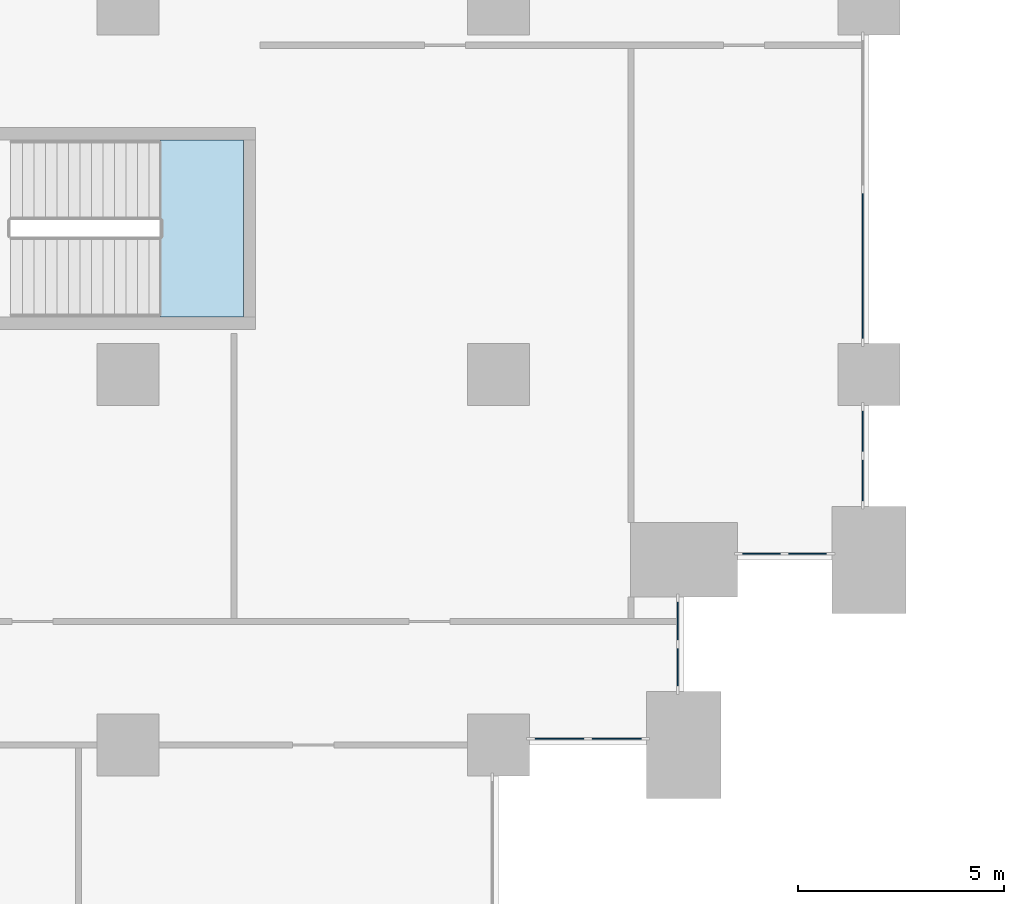
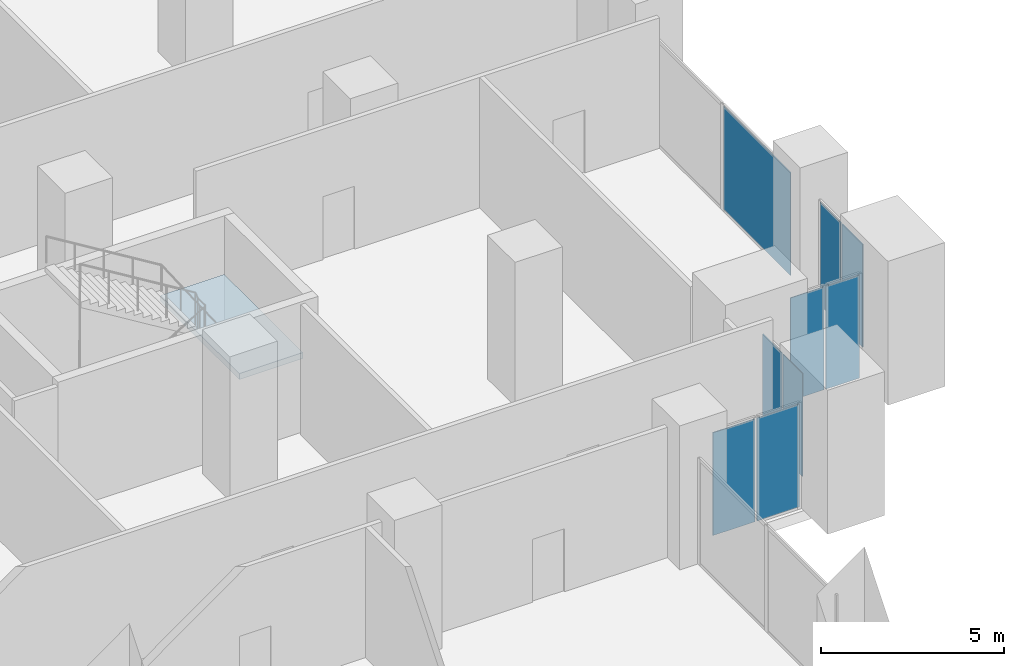
# One storey, part 10 of 32: 9 plates, 1 slab, 6 elements without a shape of their own.
"""IFC4 building model written with IfcOpenShell, lengths in metres."""

from ifc_helpers import new_model, si_unit, direction, frame, origin, origin_2d, place, context, subcontext, project, spatial, polyline, rectangle, outline, extrude, material, layer, layer_set, type_object, element, aggregate, save


model = new_model("IFC4")

# Units and contexts
model_context = context("Model", 3, precision=1e-05, world=origin(), true_north=direction((0.0, 1.0)))
body_context = subcontext(model_context, "Body", "Model", "MODEL_VIEW")
ifc_project = project(units=[si_unit("LENGTHUNIT", "METRE"), si_unit("AREAUNIT", "SQUARE_METRE"), si_unit("VOLUMEUNIT", "CUBIC_METRE"), si_unit("PLANEANGLEUNIT", "RADIAN"), si_unit("MASSUNIT", "GRAM", prefix="KILO")], contexts=[model_context])

# Site, building, storey
site_placement = place(None, origin())
site = spatial("IfcSite", under=ifc_project, at=site_placement, CompositionType="ELEMENT")
building_placement = place(site_placement, origin())
building = spatial("IfcBuilding", under=site, at=building_placement, Name="Hunhe Ridgeline Campus", CompositionType="ELEMENT")
storey_placement = place(building_placement, frame((0.0, 0.0, 26.39990234375)))
storey = spatial("IfcBuildingStorey", under=building, at=storey_placement, Name="L05", CompositionType="ELEMENT", Elevation=26.39990234375)

# Curtain wall, plates
ifc_material_1 = material(Name="Aluminium and glass", Category="aluminium")
curtain_wall_type = type_object("IfcCurtainWallType", Name="Podium curtain wall CW-2", PredefinedType="NOTDEFINED", material=ifc_material_1)
curtain_wall_1_placement = place(storey_placement, origin())
curtain_wall_1 = element("IfcCurtainWall", 1, at=curtain_wall_1_placement, inside=storey, type_object=curtain_wall_type, Name="L05 podium curtain wall 1", PredefinedType="NOTDEFINED")
ifc_material_2 = material(Name="Clear glass", Category="glass")
ifc_layer_1 = layer(ifc_material_2, 0.028076171875)
ifc_layer_set_1 = layer_set([ifc_layer_1], Name="CW-2 clear glass panel 28")
plate_type = type_object("IfcPlateType", Name="CW-2 clear glass panel 28", PredefinedType="CURTAIN_PANEL", material=ifc_layer_set_1)
plate_1_placement = place(storey_placement, frame((91.4775390625, 54.14990234375, 0.06005859375), z_axis=(0.0, 0.0, 1.0), x_axis=(1.0, 0.0, 0.0)))
plate_1 = element("IfcPlate", 2, at=plate_1_placement, type_object=plate_type, Name="CW2 panel 1.1", PredefinedType="CURTAIN_PANEL", context=body_context, shape_type="SweptSolid", body=[
    extrude(rectangle(XDim=1.3349609375, YDim=0.028076171875, at=origin_2d()), origin(), (0.0, 0.0, 1.0), 3.429931640625),
])
plate_2_placement = place(storey_placement, frame((92.87255859375, 54.14990234375, 0.06005859375), z_axis=(0.0, 0.0, 1.0), x_axis=(1.0, 0.0, 0.0)))
plate_2 = element("IfcPlate", 3, at=plate_2_placement, type_object=plate_type, Name="CW2 panel 2.1", PredefinedType="CURTAIN_PANEL", context=body_context, shape_type="SweptSolid", body=[
    extrude(rectangle(XDim=1.3349609375, YDim=0.028076171875, at=origin_2d()), origin(), (0.0, 0.0, 1.0), 3.429931640625),
])
aggregate(curtain_wall_1, [plate_1, plate_2])

curtain_wall_2_placement = place(storey_placement, origin())
curtain_wall_2 = element("IfcCurtainWall", 4, at=curtain_wall_2_placement, inside=storey, type_object=curtain_wall_type, Name="L05 podium curtain wall 2", PredefinedType="NOTDEFINED")
plate_3_placement = place(storey_placement, frame((94.35009765625, 55.889892578125, 0.06005859375), z_axis=(0.0, 0.0, 1.0), x_axis=(0.0, 1.0, 0.0)))
plate_3 = element("IfcPlate", 5, at=plate_3_placement, type_object=plate_type, Name="CW2 panel 1.1", PredefinedType="CURTAIN_PANEL", context=body_context, shape_type="SweptSolid", body=[
    extrude(rectangle(XDim=1.06005859375, YDim=0.028076171875, at=origin_2d()), origin(), (0.0, 0.0, 1.0), 3.429931640625),
])
plate_4_placement = place(storey_placement, frame((94.35009765625, 57.010009765625, 0.06005859375), z_axis=(0.0, 0.0, 1.0), x_axis=(0.0, 1.0, 0.0)))
plate_4 = element("IfcPlate", 6, at=plate_4_placement, type_object=plate_type, Name="CW2 panel 2.1", PredefinedType="CURTAIN_PANEL", context=body_context, shape_type="SweptSolid", body=[
    extrude(rectangle(XDim=1.06005859375, YDim=0.028076171875, at=origin_2d()), origin(), (0.0, 0.0, 1.0), 3.429931640625),
])
aggregate(curtain_wall_2, [plate_3, plate_4])

curtain_wall_3_placement = place(storey_placement, origin())
curtain_wall_3 = element("IfcCurtainWall", 7, at=curtain_wall_3_placement, inside=storey, type_object=curtain_wall_type, Name="L05 podium curtain wall 3", PredefinedType="NOTDEFINED")
plate_5_placement = place(storey_placement, frame((96.389892578125, 58.64990234375, 0.06005859375), z_axis=(0.0, 0.0, 1.0), x_axis=(1.0, 0.0, 0.0)))
plate_5 = element("IfcPlate", 8, at=plate_5_placement, type_object=plate_type, Name="CW2 panel 1.1", PredefinedType="CURTAIN_PANEL", context=body_context, shape_type="SweptSolid", body=[
    extrude(rectangle(XDim=1.06005859375, YDim=0.028076171875, at=origin_2d()), origin(), (0.0, 0.0, 1.0), 3.429931640625),
])
plate_6_placement = place(storey_placement, frame((97.510009765625, 58.64990234375, 0.06005859375), z_axis=(0.0, 0.0, 1.0), x_axis=(1.0, 0.0, 0.0)))
plate_6 = element("IfcPlate", 9, at=plate_6_placement, type_object=plate_type, Name="CW2 panel 2.1", PredefinedType="CURTAIN_PANEL", context=body_context, shape_type="SweptSolid", body=[
    extrude(rectangle(XDim=1.06005859375, YDim=0.028076171875, at=origin_2d()), origin(), (0.0, 0.0, 1.0), 3.429931640625),
])
aggregate(curtain_wall_3, [plate_5, plate_6])

curtain_wall_4_placement = place(storey_placement, origin())
curtain_wall_4 = element("IfcCurtainWall", 10, at=curtain_wall_4_placement, inside=storey, type_object=curtain_wall_type, Name="L05 podium curtain wall 4", PredefinedType="NOTDEFINED")
plate_7_placement = place(storey_placement, frame((98.85009765625, 60.427490234375, 0.06005859375), z_axis=(0.0, 0.0, 1.0), x_axis=(0.0, 1.0, 0.0)))
plate_7 = element("IfcPlate", 11, at=plate_7_placement, type_object=plate_type, Name="CW2 panel 1.1", PredefinedType="CURTAIN_PANEL", context=body_context, shape_type="SweptSolid", body=[
    extrude(rectangle(XDim=1.135009765625, YDim=0.028076171875, at=origin_2d()), origin(), (0.0, 0.0, 1.0), 3.429931640625),
])
plate_8_placement = place(storey_placement, frame((98.85009765625, 61.62255859375, 0.06005859375), z_axis=(0.0, 0.0, 1.0), x_axis=(0.0, 1.0, 0.0)))
plate_8 = element("IfcPlate", 12, at=plate_8_placement, type_object=plate_type, Name="CW2 panel 2.1", PredefinedType="CURTAIN_PANEL", context=body_context, shape_type="SweptSolid", body=[
    extrude(rectangle(XDim=1.135009765625, YDim=0.028076171875, at=origin_2d()), origin(), (0.0, 0.0, 1.0), 3.429931640625),
])
aggregate(curtain_wall_4, [plate_7, plate_8])

# Curtain wall, plate
curtain_wall_5_placement = place(storey_placement, origin())
curtain_wall_5 = element("IfcCurtainWall", 13, at=curtain_wall_5_placement, inside=storey, type_object=curtain_wall_type, Name="L05 podium curtain wall 5", PredefinedType="NOTDEFINED")
plate_9_placement = place(storey_placement, frame((98.85009765625, 65.639892578125, 0.06005859375), z_axis=(0.0, 0.0, 1.0), x_axis=(0.0, 1.0, 0.0)))
plate_9 = element("IfcPlate", 14, at=plate_9_placement, type_object=plate_type, Name="CW2 panel 1.1", PredefinedType="CURTAIN_PANEL", context=body_context, shape_type="SweptSolid", body=[
    extrude(rectangle(XDim=3.659912109375, YDim=0.028076171875, at=origin_2d()), origin(), (0.0, 0.0, 1.0), 3.429931640625),
])
aggregate(curtain_wall_5, [plate_9])

# Stair, slab
ifc_material_3 = material(Name="Concrete C40", Category="concrete")
stair_type = type_object("IfcStairType", Name="Reinforced concrete dog-leg stair 1950 Concrete C40", PredefinedType="HALF_TURN_STAIR", material=ifc_material_3)
stair_placement = place(storey_placement, origin())
stair = element("IfcStair", 15, at=stair_placement, inside=storey, type_object=stair_type, Name="L05 E5", PredefinedType="HALF_TURN_STAIR")
ifc_layer_2 = layer(ifc_material_3, 0.199951171875)
ifc_layer_set_2 = layer_set([ifc_layer_2], Name="Reinforced concrete stair landing 200 Concrete C40")
slab_type = type_object("IfcSlabType", Name="Reinforced concrete stair landing 200 Concrete C40", PredefinedType="LANDING", material=ifc_layer_set_2)
slab_placement = place(storey_placement, frame((0.0, 0.0, 2.2001953125)))
slab = element("IfcSlab", 16, at=slab_placement, type_object=slab_type, Name="ST10 landing 1", PredefinedType="LANDING", context=body_context, shape_type="SweptSolid", body=[
    extrude(outline(polyline([(81.7900390625, 64.39990234375), (83.800048828125, 64.39990234375), (83.800048828125, 68.699951171875), (81.7900390625, 68.699951171875), (81.7900390625, 64.39990234375)])), origin(), (0.0, 0.0, 1.0), 0.199951171875),
])
aggregate(stair, [slab])

save(model, "model.ifc")
